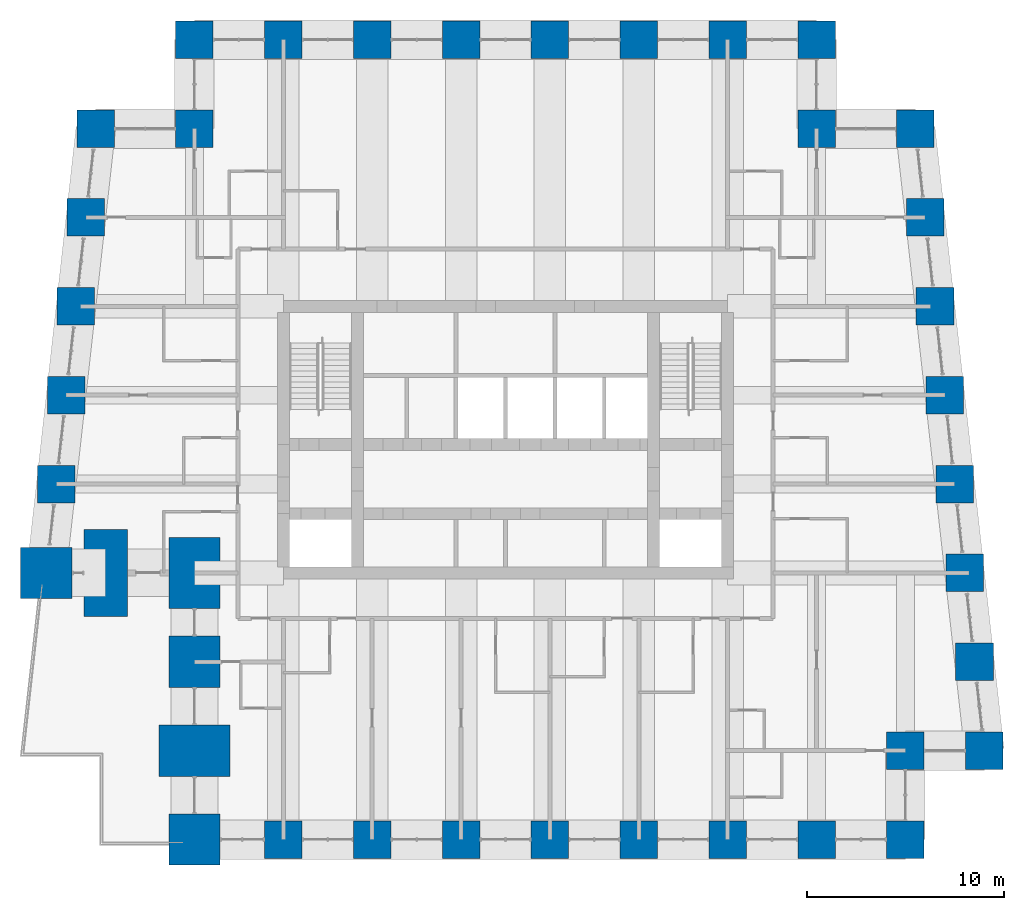
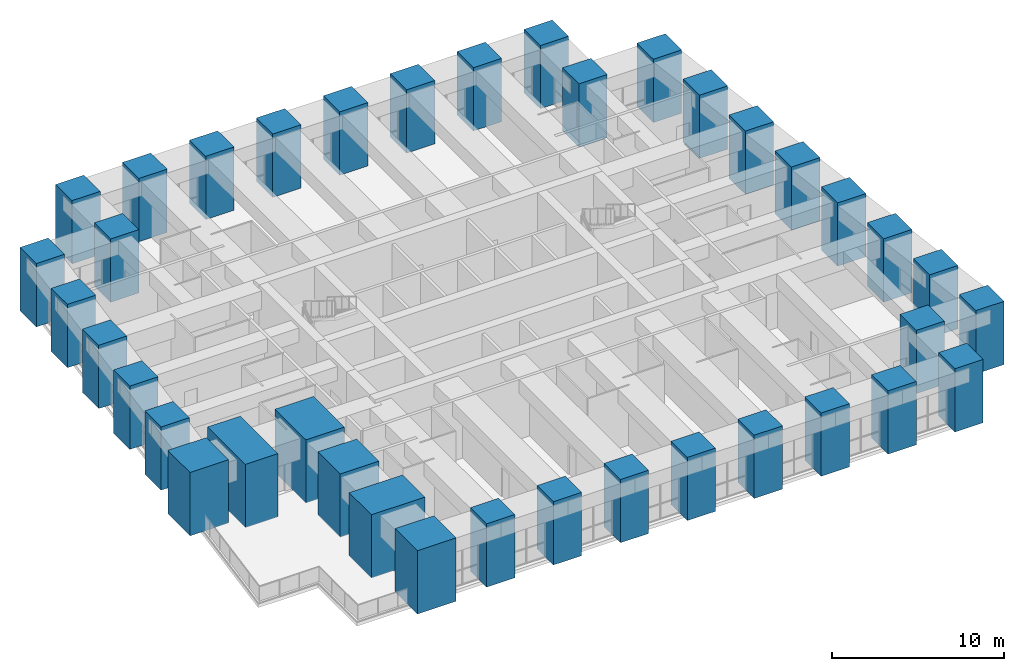
# One storey, part 1 of 16: 38 columns.
"""IFC4 building model written with IfcOpenShell, lengths in metres."""

from ifc_helpers import new_model, si_unit, direction, frame, origin, origin_2d, place, context, subcontext, project, spatial, rectangle, extrude, material, material_profile, profile_set, type_object, element, save


model = new_model("IFC4")

# Units and contexts
model_context = context("Model", 3, precision=1e-05, world=origin(), true_north=direction((0.0, 1.0)))
body_context = subcontext(model_context, "Body", "Model", "MODEL_VIEW")
ifc_project = project(units=[si_unit("LENGTHUNIT", "METRE"), si_unit("AREAUNIT", "SQUARE_METRE"), si_unit("VOLUMEUNIT", "CUBIC_METRE"), si_unit("PLANEANGLEUNIT", "RADIAN"), si_unit("MASSUNIT", "GRAM", prefix="KILO")], contexts=[model_context])

# Site, building, storey
site_placement = place(None, origin())
site = spatial("IfcSite", under=ifc_project, at=site_placement, CompositionType="ELEMENT")
building_placement = place(site_placement, origin())
building = spatial("IfcBuilding", under=site, at=building_placement, Name="Kilele Tower Hotel", CompositionType="ELEMENT")
storey_placement = place(building_placement, frame((0.0, 0.0, 157.89990234375)))
storey = spatial("IfcBuildingStorey", under=building, at=storey_placement, Name="L40", CompositionType="ELEMENT", Elevation=157.89990234375)

# Columns
ifc_material_1 = material(Name="Concrete C60/75", Category="concrete")
ifc_material_profile_1 = material_profile(ifc_material_1, rectangle(XDim=1.89990234375, YDim=1.89990234375, at=origin_2d()))
ifc_profile_set_1 = profile_set([ifc_material_profile_1], Name="Concrete C60/75")
column_type_1 = type_object("IfcColumnType", Name="Tube column RC 1900x1900 C60/75", PredefinedType="COLUMN", material=ifc_profile_set_1)
for number, where, z_axis, x_axis, name in (
    (1, (13.5, 0.0, 0.0), (0.0, 0.0, 1.0), (1.0, 0.0, 0.0), "Column TC3 L40"),
    (2, (18.0, 0.0, 0.0), (0.0, 0.0, 1.0), (1.0, 0.0, 0.0), "Column TC3 L40"),
    (3, (22.5, 0.0, 0.0), (0.0, 0.0, 1.0), (1.0, 0.0, 0.0), "Column TC3 L40"),
    (4, (27.0, 0.0, 0.0), (0.0, 0.0, 1.0), (1.0, 0.0, 0.0), "Column TC3 L40"),
    (5, (31.5, 0.0, 0.0), (0.0, 0.0, 1.0), (1.0, 0.0, 0.0), "Column TC3 L40"),
    (6, (36.0, 0.0, 0.0), (0.0, 0.0, 1.0), (1.0, 0.0, 0.0), "Column TC3 L40"),
    (7, (40.5, 0.0, 0.0), (0.0, 0.0, 1.0), (1.0, 0.0, 0.0), "Column TC3 L40"),
    (8, (45.0, 0.0, 0.0), (0.0, 0.0, 1.0), (1.0, 0.0, 0.0), "Column TC3 L40"),
    (9, (45.0, 4.5, 0.0), (0.0, 0.0, 1.0), (1.0, 0.0, 0.0), "Column TC3 L40"),
    (10, (49.0, 4.5, 0.0), (0.0, 0.0, 1.0), (1.0, 0.0, 0.0), "Column TC3 L40"),
    (11, (48.5, 9.0, 0.0), (0.0, 0.0, 1.0), (1.0, 0.0, 0.0), "Column TC3 L40"),
    (12, (48.0, 13.5, 0.0), (0.0, 0.0, 1.0), (1.0, 0.0, 0.0), "Column TC3 L40"),
    (13, (47.5, 18.0, 0.0), (0.0, 0.0, 1.0), (1.0, 0.0, 0.0), "Column TC3 L40"),
    (14, (47.0, 22.5, 0.0), (0.0, 0.0, 1.0), (1.0, 0.0, 0.0), "Column TC3 L40"),
    (15, (46.5, 27.0, 0.0), (0.0, 0.0, 1.0), (1.0, 0.0, 0.0), "Column TC3 L40"),
    (16, (46.0, 31.5, 0.0), (0.0, 0.0, 1.0), (1.0, 0.0, 0.0), "Column TC3 L40"),
    (17, (45.5, 36.0, 0.0), (0.0, 0.0, 1.0), (1.0, 0.0, 0.0), "Column TC3 L40"),
    (18, (40.5, 36.0, 0.0), (0.0, 0.0, 1.0), (1.0, 0.0, 0.0), "Column TC3 L40"),
    (19, (40.5, 40.5, 0.0), (0.0, 0.0, 1.0), (1.0, 0.0, 0.0), "Column TC3 L40"),
    (20, (36.0, 40.5, 0.0), (0.0, 0.0, 1.0), (1.0, 0.0, 0.0), "Column TC3 L40"),
    (21, (31.5, 40.5, 0.0), (0.0, 0.0, 1.0), (1.0, 0.0, 0.0), "Column TC3 L40"),
    (22, (27.0, 40.5, 0.0), (0.0, 0.0, 1.0), (1.0, 0.0, 0.0), "Column TC3 L40"),
    (23, (22.5, 40.5, 0.0), (0.0, 0.0, 1.0), (1.0, 0.0, 0.0), "Column TC3 L40"),
    (24, (18.0, 40.5, 0.0), (0.0, 0.0, 1.0), (1.0, 0.0, 0.0), "Column TC3 L40"),
    (25, (13.5, 40.5, 0.0), (0.0, 0.0, 1.0), (1.0, 0.0, 0.0), "Column TC3 L40"),
    (26, (9.0, 40.5, 0.0), (0.0, 0.0, 1.0), (1.0, 0.0, 0.0), "Column TC3 L40"),
    (27, (9.0, 36.0, 0.0), (0.0, 0.0, 1.0), (1.0, 0.0, 0.0), "Column TC3 L40"),
    (28, (4.0, 36.0, 0.0), (0.0, 0.0, 1.0), (1.0, 0.0, 0.0), "Column TC3 L40"),
    (29, (3.5, 31.5, 0.0), (0.0, 0.0, 1.0), (1.0, 0.0, 0.0), "Column TC3 L40"),
    (30, (3.0, 27.0, 0.0), (0.0, 0.0, 1.0), (1.0, 0.0, 0.0), "Column TC3 L40"),
    (31, (2.5, 22.5, 0.0), (0.0, 0.0, 1.0), (1.0, 0.0, 0.0), "Column TC3 L40"),
    (32, (2.0, 18.0, 0.0), (0.0, 0.0, 1.0), (1.0, 0.0, 0.0), "Column TC3 L40"),
):
    element("IfcColumn", number, at=place(storey_placement, frame(where, z_axis=z_axis, x_axis=x_axis)), inside=storey, type_object=column_type_1, Name=name, PredefinedType="COLUMN", context=body_context, shape_type="SweptSolid", body=[
        extrude(rectangle(XDim=1.89990234375, YDim=1.89990234375, at=origin_2d()), origin(), (0.0, 0.0, 1.0), 4.5),
    ])
ifc_material_2 = material(Name="Concrete C60/75", Category="concrete")
ifc_material_profile_2 = material_profile(ifc_material_2, rectangle(XDim=2.199951171875, YDim=4.39990234375, at=origin_2d()))
ifc_profile_set_2 = profile_set([ifc_material_profile_2], Name="Concrete C60/75")
column_type_2 = type_object("IfcColumnType", Name="Tube column RC 2200x4400 C60/75", PredefinedType="COLUMN", material=ifc_profile_set_2)
column_1_placement = place(storey_placement, frame((4.5, 13.5, 0.0), z_axis=(0.0, 0.0, 1.0), x_axis=(1.0, 0.0, 0.0)))
element("IfcColumn", 33, at=column_1_placement, inside=storey, type_object=column_type_2, Name="Column TC12 L40", PredefinedType="COLUMN", context=body_context, shape_type="SweptSolid", body=[
    extrude(rectangle(XDim=2.199951171875, YDim=4.39990234375, at=origin_2d()), origin(), (0.0, 0.0, 1.0), 4.5),
])
ifc_material_3 = material(Name="Concrete C60/75", Category="concrete")
ifc_material_profile_3 = material_profile(ifc_material_3, rectangle(XDim=2.60009765625, YDim=2.60009765625, at=origin_2d()))
ifc_profile_set_3 = profile_set([ifc_material_profile_3], Name="Concrete C60/75")
column_type_3 = type_object("IfcColumnType", Name="Tube column RC 2600x2600 C60/75", PredefinedType="COLUMN", material=ifc_profile_set_3)
for number, where, z_axis, x_axis, name in (
    (34, (1.5, 13.5, 0.0), (0.0, 0.0, 1.0), (1.0, 0.0, 0.0), "Column TC6 L40"),
    (35, (9.0, 9.0, 0.0), (0.0, 0.0, 1.0), (1.0, 0.0, 0.0), "Column TC6 L40"),
    (36, (9.0, 0.0, 0.0), (0.0, 0.0, 1.0), (1.0, 0.0, 0.0), "Column TC6 L40"),
):
    element("IfcColumn", number, at=place(storey_placement, frame(where, z_axis=z_axis, x_axis=x_axis)), inside=storey, type_object=column_type_3, Name=name, PredefinedType="COLUMN", context=body_context, shape_type="SweptSolid", body=[
        extrude(rectangle(XDim=2.60009765625, YDim=2.60009765625, at=origin_2d()), origin(), (0.0, 0.0, 1.0), 4.5),
    ])
ifc_material_4 = material(Name="Concrete C60/75", Category="concrete")
ifc_material_profile_4 = material_profile(ifc_material_4, rectangle(XDim=2.60009765625, YDim=3.60009765625, at=origin_2d()))
ifc_profile_set_4 = profile_set([ifc_material_profile_4], Name="Concrete C60/75")
column_type_4 = type_object("IfcColumnType", Name="Tube column RC 2600x3600 C60/75", PredefinedType="COLUMN", material=ifc_profile_set_4)
column_2_placement = place(storey_placement, frame((9.0, 13.5, 0.0), z_axis=(0.0, 0.0, 1.0), x_axis=(1.0, 0.0, 0.0)))
element("IfcColumn", 37, at=column_2_placement, inside=storey, type_object=column_type_4, Name="Column TC10 L40", PredefinedType="COLUMN", context=body_context, shape_type="SweptSolid", body=[
    extrude(rectangle(XDim=2.60009765625, YDim=3.60009765625, at=origin_2d()), origin(), (0.0, 0.0, 1.0), 4.5),
])
ifc_material_5 = material(Name="Concrete C60/75", Category="concrete")
ifc_material_profile_5 = material_profile(ifc_material_5, rectangle(XDim=3.60009765625, YDim=2.60009765625, at=origin_2d()))
ifc_profile_set_5 = profile_set([ifc_material_profile_5], Name="Concrete C60/75")
column_type_5 = type_object("IfcColumnType", Name="Tube column RC 3600x2600 C60/75", PredefinedType="COLUMN", material=ifc_profile_set_5)
column_3_placement = place(storey_placement, frame((9.0, 4.5, 0.0), z_axis=(0.0, 0.0, 1.0), x_axis=(1.0, 0.0, 0.0)))
element("IfcColumn", 38, at=column_3_placement, inside=storey, type_object=column_type_5, Name="Column TC11 L40", PredefinedType="COLUMN", context=body_context, shape_type="SweptSolid", body=[
    extrude(rectangle(XDim=3.60009765625, YDim=2.60009765625, at=origin_2d()), origin(), (0.0, 0.0, 1.0), 4.5),
])

save(model, "model.ifc")
